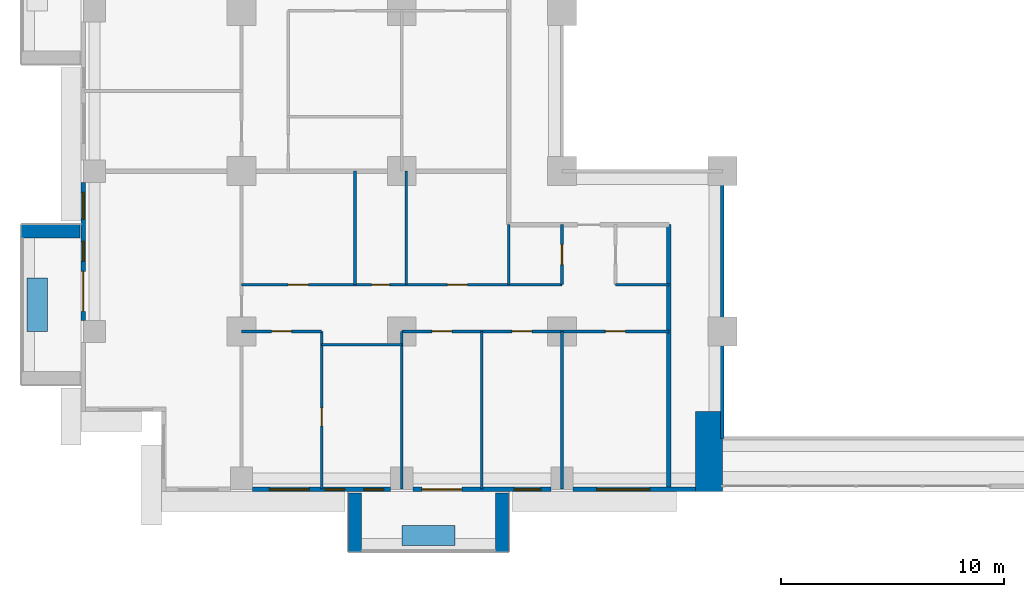
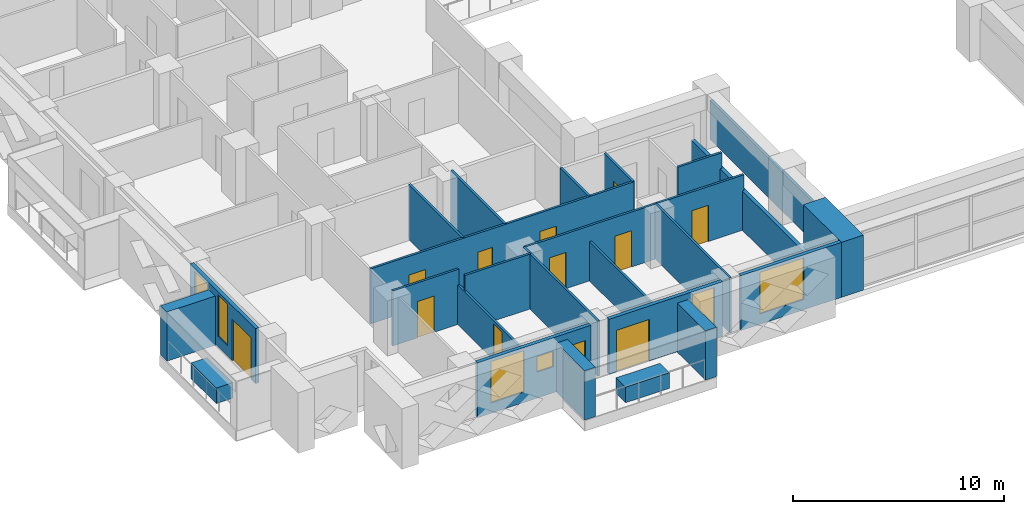
# One storey, part 6 of 17: 25 walls, 11 doors, 7 windows, 18 openings.
"""IFC4 building model written with IfcOpenShell, lengths in metres."""

from ifc_helpers import new_model, si_unit, direction, frame, frame_2d, origin, place, context, subcontext, project, spatial, rectangle, extrude, material, layer, layer_set, type_object, element, fill, save


model = new_model("IFC4")

# Units and contexts
model_context = context("Model", 3, precision=1e-05, world=origin(), true_north=direction((0.0, 1.0)))
body_context = subcontext(model_context, "Body", "Model", "MODEL_VIEW")
ifc_project = project(units=[si_unit("LENGTHUNIT", "METRE"), si_unit("AREAUNIT", "SQUARE_METRE"), si_unit("VOLUMEUNIT", "CUBIC_METRE"), si_unit("PLANEANGLEUNIT", "RADIAN"), si_unit("MASSUNIT", "GRAM", prefix="KILO")], contexts=[model_context])

# Site, building, storey
site_placement = place(None, origin())
site = spatial("IfcSite", under=ifc_project, at=site_placement, CompositionType="ELEMENT")
building_placement = place(site_placement, origin())
building = spatial("IfcBuilding", under=site, at=building_placement, Name="Saffron Iwan Residences", CompositionType="ELEMENT")
storey_placement = place(building_placement, frame((0.0, 0.0, 86.5)))
storey = spatial("IfcBuildingStorey", under=building, at=storey_placement, Name="L22", CompositionType="ELEMENT", Elevation=86.5)

# Walls
ifc_material_1 = material(Name="Fire-rated glazing", Category="glass")
ifc_layer_1 = layer(ifc_material_1, 0.14990234375)
ifc_layer_set_1 = layer_set([ifc_layer_1], Name="Fire-rated glazing")
wall_type_1 = type_object("IfcWallType", Name="Atrium glazed screen 150", PredefinedType="SOLIDWALL", material=ifc_layer_set_1)
wall_1_placement = place(storey_placement, frame((43.199951171875, 36.0, 0.0), z_axis=(0.0, 0.0, 1.0), x_axis=(0.0, 1.0, 0.0)))
element("IfcWall", 1, at=wall_1_placement, inside=storey, type_object=wall_type_1, Name="W-L22-SCREEN-v43.2-36", PredefinedType="SOLIDWALL", context=body_context, shape_type="SweptSolid", body=[
    extrude(rectangle(XDim=12.0, YDim=0.14990234375, at=frame_2d((6.0, 0.0))), origin(), (0.0, 0.0, 1.0), 2.280029296875),
])
ifc_material_2 = material(Name="Concrete C50/60 white painted", Category="concrete")
ifc_layer_2 = layer(ifc_material_2, 0.60009765625)
ifc_layer_set_2 = layer_set([ifc_layer_2], Name="Concrete C50/60 white painted")
wall_type_2 = type_object("IfcWallType", Name="BALCONY FIN 600", PredefinedType="SOLIDWALL", material=ifc_layer_set_2)
for number, where, z_axis, x_axis, name in (
    (2, (14.35009765625, 45.300048828125, 0.0), (0.0, 0.0, 1.0), (-1.0, 0.0, 0.0), "Balcony fin L22 F8-2a"),
    (3, (26.699951171875, 33.550048828125, 0.0), (0.0, 0.0, 1.0), (0.0, -1.0, 0.0), "Balcony fin L22 11-0a"),
    (4, (33.300048828125, 33.550048828125, 0.0), (0.0, 0.0, 1.0), (0.0, -1.0, 0.0), "Balcony fin L22 11-0b"),
):
    element("IfcWall", number, at=place(storey_placement, frame(where, z_axis=z_axis, x_axis=x_axis)), inside=storey, type_object=wall_type_2, Name=name, PredefinedType="SOLIDWALL", context=body_context, shape_type="SweptSolid", body=[
        extrude(rectangle(XDim=2.650146484375, YDim=0.60009765625, at=frame_2d((1.3251953125, 0.0))), origin(), (0.0, 0.0, 1.0), 2.85009765625),
    ])
ifc_material_3 = material(Name="Concrete C35/45 white painted", Category="concrete")
ifc_layer_3 = layer(ifc_material_3, 0.14990234375)
ifc_layer_set_3 = layer_set([ifc_layer_3], Name="Concrete C35/45 white painted")
wall_type_3 = type_object("IfcWallType", Name="BALCONY PLANTER", PredefinedType="SOLIDWALL", material=ifc_layer_set_3)
for number, where, z_axis, x_axis, name in (
    (5, (12.425048828125, 43.199951171875, 0.0), (0.0, 0.0, 1.0), (0.0, -1.0, 0.0), "PLANTER L22 F8-2"),
    (6, (28.800048828125, 31.625, 0.0), (0.0, 0.0, 1.0), (1.0, 0.0, 0.0), "PLANTER L22 11-0"),
):
    element("IfcWall", number, at=place(storey_placement, frame(where, z_axis=z_axis, x_axis=x_axis)), inside=storey, type_object=wall_type_3, Name=name, PredefinedType="SOLIDWALL", context=body_context, shape_type="SweptSolid", body=[
        extrude(rectangle(XDim=2.39990234375, YDim=0.89990234375, at=frame_2d((1.199951171875, 0.0))), origin(), (0.0, 0.0, 1.0), 0.89990234375),
    ])

# Wall, openings, door, windows
ifc_material_4 = material(Name="Concrete C40/50", Category="concrete")
ifc_layer_4 = layer(ifc_material_4, 0.199951171875)
ifc_layer_set_4 = layer_set([ifc_layer_4], Name="Concrete C40/50")
wall_type_4 = type_object("IfcWallType", Name="EXTERNAL WALL 200", PredefinedType="SOLIDWALL", material=ifc_layer_set_4)
wall_2_placement = place(storey_placement, frame((14.5, 47.5, 0.0), z_axis=(0.0, 0.0, 1.0), x_axis=(0.0, -1.0, 0.0)))
wall_2 = element("IfcWall", 7, at=wall_2_placement, inside=storey, type_object=wall_type_4, Name="External wall L22 F8.4", PredefinedType="SOLIDWALL", context=body_context, shape_type="SweptSolid", body=[
    extrude(rectangle(XDim=6.199951171875, YDim=0.199951171875, at=frame_2d((3.10009765625, 0.0))), origin(), (0.0, 0.0, 1.0), 3.179931640625),
])
opening_1_placement = place(wall_2_placement, frame((4.0, 0.0, 0.0)))
opening_1 = element("IfcOpeningElement", 8, at=opening_1_placement, cuts=wall_2, Name="Opening BD1", PredefinedType="OPENING", context=body_context, shape_type="SweptSolid", body=[
    extrude(rectangle(XDim=1.800048828125, YDim=2.39990234375, at=frame_2d((0.89990234375, 1.199951171875))), frame((0.0, 0.10986328125, 0.0), z_axis=(0.0, -1.0, 0.0), x_axis=(1.0, 0.0, 0.0)), (0.0, 0.0, 1.0), 0.219970703125),
])
opening_2_placement = place(wall_2_placement, frame((0.449951171875, 0.0, 0.60009765625)))
opening_2 = element("IfcOpeningElement", 9, at=opening_2_placement, cuts=wall_2, Name="Opening W3", PredefinedType="OPENING", context=body_context, shape_type="SweptSolid", body=[
    extrude(rectangle(XDim=1.199951171875, YDim=2.39990234375, at=frame_2d((0.60009765625, 1.199951171875))), frame((0.0, 0.10986328125, 0.0), z_axis=(0.0, -1.0, 0.0), x_axis=(1.0, 0.0, 0.0)), (0.0, 0.0, 1.0), 0.219970703125),
])
opening_3_placement = place(wall_2_placement, frame((2.64990234375, 0.0, 0.60009765625)))
opening_3 = element("IfcOpeningElement", 10, at=opening_3_placement, cuts=wall_2, Name="Opening W10", PredefinedType="OPENING", context=body_context, shape_type="SweptSolid", body=[
    extrude(rectangle(XDim=0.89990234375, YDim=2.39990234375, at=frame_2d((0.449951171875, 1.199951171875))), frame((0.0, 0.10986328125, 0.0), z_axis=(0.0, -1.0, 0.0), x_axis=(1.0, 0.0, 0.0)), (0.0, 0.0, 1.0), 0.219970703125),
])
ifc_material_5 = material(Name="Clear glass, laminated double glazed", Category="glass")
door_type_1 = type_object("IfcDoorType", Name="BALCONY DOOR 1800 x 2400", OperationType="DOUBLE_DOOR_SLIDING", PredefinedType="DOOR", material=ifc_material_5)
door_1_placement = place(opening_1_placement, origin())
door_1 = element("IfcDoor", 11, at=door_1_placement, inside=storey, type_object=door_type_1, Name="Balcony door L22 F8.0", OperationType="DOUBLE_DOOR_SLIDING", OverallHeight=2.39990234375, OverallWidth=1.800048828125, PredefinedType="DOOR", context=body_context, shape_type="SweptSolid", body=[
    extrude(rectangle(XDim=1.800048828125, YDim=2.39990234375, at=frame_2d((0.89990234375, 1.199951171875))), frame((0.0, 0.02490234375, 0.0), z_axis=(0.0, -1.0, 0.0), x_axis=(1.0, 0.0, 0.0)), (0.0, 0.0, 1.0), 0.050048828125),
])
fill(opening_1, door_1)
window_type_1 = type_object("IfcWindowType", Name="WINDOW 1200 x 2400", PartitioningType="SINGLE_PANEL", PredefinedType="WINDOW", material=ifc_material_5)
window_1_placement = place(opening_2_placement, origin())
window_1 = element("IfcWindow", 12, at=window_1_placement, inside=storey, type_object=window_type_1, Name="Window L22 F8.1", OverallHeight=2.39990234375, OverallWidth=1.199951171875, PartitioningType="SINGLE_PANEL", PredefinedType="WINDOW", context=body_context, shape_type="SweptSolid", body=[
    extrude(rectangle(XDim=1.199951171875, YDim=2.39990234375, at=frame_2d((0.60009765625, 1.199951171875))), frame((0.0, 0.030029296875, 0.0), z_axis=(0.0, -1.0, 0.0), x_axis=(1.0, 0.0, 0.0)), (0.0, 0.0, 1.0), 0.06005859375),
])
fill(opening_2, window_1)
window_type_2 = type_object("IfcWindowType", Name="WINDOW 900 x 2400", PartitioningType="SINGLE_PANEL", PredefinedType="WINDOW", material=ifc_material_5)
window_2_placement = place(opening_3_placement, origin())
window_2 = element("IfcWindow", 13, at=window_2_placement, inside=storey, type_object=window_type_2, Name="Window L22 F8.2", OverallHeight=2.39990234375, OverallWidth=0.89990234375, PartitioningType="SINGLE_PANEL", PredefinedType="WINDOW", context=body_context, shape_type="SweptSolid", body=[
    extrude(rectangle(XDim=0.89990234375, YDim=2.39990234375, at=frame_2d((0.449951171875, 1.199951171875))), frame((0.0, 0.030029296875, 0.0), z_axis=(0.0, -1.0, 0.0), x_axis=(1.0, 0.0, 0.0)), (0.0, 0.0, 1.0), 0.06005859375),
])
fill(opening_3, window_2)

# Wall, openings, windows
wall_3_placement = place(storey_placement, frame((22.10009765625, 33.699951171875, 0.0), z_axis=(0.0, 0.0, 1.0), x_axis=(1.0, 0.0, 0.0)))
wall_3 = element("IfcWall", 14, at=wall_3_placement, inside=storey, type_object=wall_type_4, Name="External wall L22 F11.1", PredefinedType="SOLIDWALL", context=body_context, shape_type="SweptSolid", body=[
    extrude(rectangle(XDim=6.199951171875, YDim=0.199951171875, at=frame_2d((3.10009765625, 0.0))), origin(), (0.0, 0.0, 1.0), 3.179931640625),
])
opening_4_placement = place(wall_3_placement, frame((0.75, 0.0, 0.60009765625)))
opening_4 = element("IfcOpeningElement", 15, at=opening_4_placement, cuts=wall_3, Name="Opening W8", PredefinedType="OPENING", context=body_context, shape_type="SweptSolid", body=[
    extrude(rectangle(XDim=1.800048828125, YDim=2.39990234375, at=frame_2d((0.89990234375, 1.199951171875))), frame((0.0, 0.10986328125, 0.0), z_axis=(0.0, -1.0, 0.0), x_axis=(1.0, 0.0, 0.0)), (0.0, 0.0, 1.0), 0.219970703125),
])
opening_5_placement = place(wall_3_placement, frame((3.25, 0.0, 1.5)))
opening_5 = element("IfcOpeningElement", 16, at=opening_5_placement, cuts=wall_3, Name="Opening W6", PredefinedType="OPENING", context=body_context, shape_type="SweptSolid", body=[
    extrude(rectangle(XDim=0.89990234375, YDim=0.89990234375, at=frame_2d((0.449951171875, 0.449951171875))), frame((0.0, 0.10986328125, 0.0), z_axis=(0.0, -1.0, 0.0), x_axis=(1.0, 0.0, 0.0)), (0.0, 0.0, 1.0), 0.219970703125),
])
opening_6_placement = place(wall_3_placement, frame((5.0, 0.0, 1.5)))
opening_6 = element("IfcOpeningElement", 17, at=opening_6_placement, cuts=wall_3, Name="Opening W6", PredefinedType="OPENING", context=body_context, shape_type="SweptSolid", body=[
    extrude(rectangle(XDim=0.89990234375, YDim=0.89990234375, at=frame_2d((0.449951171875, 0.449951171875))), frame((0.0, 0.10986328125, 0.0), z_axis=(0.0, -1.0, 0.0), x_axis=(1.0, 0.0, 0.0)), (0.0, 0.0, 1.0), 0.219970703125),
])
window_type_3 = type_object("IfcWindowType", Name="WINDOW 1800 x 2400", PartitioningType="DOUBLE_PANEL_VERTICAL", PredefinedType="WINDOW", material=ifc_material_5)
window_3_placement = place(opening_4_placement, origin())
window_3 = element("IfcWindow", 18, at=window_3_placement, inside=storey, type_object=window_type_3, Name="Window L22 F11.0", OverallHeight=2.39990234375, OverallWidth=1.800048828125, PartitioningType="DOUBLE_PANEL_VERTICAL", PredefinedType="WINDOW", context=body_context, shape_type="SweptSolid", body=[
    extrude(rectangle(XDim=1.800048828125, YDim=2.39990234375, at=frame_2d((0.89990234375, 1.199951171875))), frame((0.0, 0.030029296875, 0.0), z_axis=(0.0, -1.0, 0.0), x_axis=(1.0, 0.0, 0.0)), (0.0, 0.0, 1.0), 0.06005859375),
])
fill(opening_4, window_3)
window_type_4 = type_object("IfcWindowType", Name="WINDOW 900 x 900 BATH", PartitioningType="SINGLE_PANEL", PredefinedType="WINDOW", material=ifc_material_5)
window_4_placement = place(opening_5_placement, origin())
window_4 = element("IfcWindow", 19, at=window_4_placement, inside=storey, type_object=window_type_4, Name="Window L22 F11.1", OverallHeight=0.89990234375, OverallWidth=0.89990234375, PartitioningType="SINGLE_PANEL", PredefinedType="WINDOW", context=body_context, shape_type="SweptSolid", body=[
    extrude(rectangle(XDim=0.89990234375, YDim=0.89990234375, at=frame_2d((0.449951171875, 0.449951171875))), frame((0.0, 0.030029296875, 0.0), z_axis=(0.0, -1.0, 0.0), x_axis=(1.0, 0.0, 0.0)), (0.0, 0.0, 1.0), 0.06005859375),
])
fill(opening_5, window_4)
window_5_placement = place(opening_6_placement, origin())
window_5 = element("IfcWindow", 20, at=window_5_placement, inside=storey, type_object=window_type_4, Name="Window L22 F11.2", OverallHeight=0.89990234375, OverallWidth=0.89990234375, PartitioningType="SINGLE_PANEL", PredefinedType="WINDOW", context=body_context, shape_type="SweptSolid", body=[
    extrude(rectangle(XDim=0.89990234375, YDim=0.89990234375, at=frame_2d((0.449951171875, 0.449951171875))), frame((0.0, 0.030029296875, 0.0), z_axis=(0.0, -1.0, 0.0), x_axis=(1.0, 0.0, 0.0)), (0.0, 0.0, 1.0), 0.06005859375),
])
fill(opening_6, window_5)

# Wall, openings, door, window
wall_4_placement = place(storey_placement, frame((29.300048828125, 33.699951171875, 0.0), z_axis=(0.0, 0.0, 1.0), x_axis=(1.0, 0.0, 0.0)))
wall_4 = element("IfcWall", 21, at=wall_4_placement, inside=storey, type_object=wall_type_4, Name="External wall L22 F11.2", PredefinedType="SOLIDWALL", context=body_context, shape_type="SweptSolid", body=[
    extrude(rectangle(XDim=6.199951171875, YDim=0.199951171875, at=frame_2d((3.10009765625, 0.0))), origin(), (0.0, 0.0, 1.0), 3.179931640625),
])
opening_7_placement = place(wall_4_placement, frame((0.39990234375, 0.0, 0.0)))
opening_7 = element("IfcOpeningElement", 22, at=opening_7_placement, cuts=wall_4, Name="Opening BD1", PredefinedType="OPENING", context=body_context, shape_type="SweptSolid", body=[
    extrude(rectangle(XDim=1.800048828125, YDim=2.39990234375, at=frame_2d((0.89990234375, 1.199951171875))), frame((0.0, 0.10986328125, 0.0), z_axis=(0.0, -1.0, 0.0), x_axis=(1.0, 0.0, 0.0)), (0.0, 0.0, 1.0), 0.219970703125),
])
opening_8_placement = place(wall_4_placement, frame((4.550048828125, 0.0, 0.60009765625)))
opening_8 = element("IfcOpeningElement", 23, at=opening_8_placement, cuts=wall_4, Name="Opening W3", PredefinedType="OPENING", context=body_context, shape_type="SweptSolid", body=[
    extrude(rectangle(XDim=1.199951171875, YDim=2.39990234375, at=frame_2d((0.60009765625, 1.199951171875))), frame((0.0, 0.10986328125, 0.0), z_axis=(0.0, -1.0, 0.0), x_axis=(1.0, 0.0, 0.0)), (0.0, 0.0, 1.0), 0.219970703125),
])
door_2_placement = place(opening_7_placement, origin())
door_2 = element("IfcDoor", 24, at=door_2_placement, inside=storey, type_object=door_type_1, Name="Balcony door L22 F11.0", OperationType="DOUBLE_DOOR_SLIDING", OverallHeight=2.39990234375, OverallWidth=1.800048828125, PredefinedType="DOOR", context=body_context, shape_type="SweptSolid", body=[
    extrude(rectangle(XDim=1.800048828125, YDim=2.39990234375, at=frame_2d((0.89990234375, 1.199951171875))), frame((0.0, 0.02490234375, 0.0), z_axis=(0.0, -1.0, 0.0), x_axis=(1.0, 0.0, 0.0)), (0.0, 0.0, 1.0), 0.050048828125),
])
fill(opening_7, door_2)
window_6_placement = place(opening_8_placement, origin())
window_6 = element("IfcWindow", 25, at=window_6_placement, inside=storey, type_object=window_type_1, Name="Window L22 F11.1", OverallHeight=2.39990234375, OverallWidth=1.199951171875, PartitioningType="SINGLE_PANEL", PredefinedType="WINDOW", context=body_context, shape_type="SweptSolid", body=[
    extrude(rectangle(XDim=1.199951171875, YDim=2.39990234375, at=frame_2d((0.60009765625, 1.199951171875))), frame((0.0, 0.030029296875, 0.0), z_axis=(0.0, -1.0, 0.0), x_axis=(1.0, 0.0, 0.0)), (0.0, 0.0, 1.0), 0.06005859375),
])
fill(opening_8, window_6)

# Wall, opening, window
wall_5_placement = place(storey_placement, frame((36.5, 33.699951171875, 0.0), z_axis=(0.0, 0.0, 1.0), x_axis=(1.0, 0.0, 0.0)))
wall_5 = element("IfcWall", 26, at=wall_5_placement, inside=storey, type_object=wall_type_4, Name="External wall L22 F11.3", PredefinedType="SOLIDWALL", context=body_context, shape_type="SweptSolid", body=[
    extrude(rectangle(XDim=5.5, YDim=0.199951171875, at=frame_2d((2.75, 0.0))), origin(), (0.0, 0.0, 1.0), 3.179931640625),
])
opening_9_placement = place(wall_5_placement, frame((1.050048828125, 0.0, 0.60009765625)))
opening_9 = element("IfcOpeningElement", 27, at=opening_9_placement, cuts=wall_5, Name="Opening W1", PredefinedType="OPENING", context=body_context, shape_type="SweptSolid", body=[
    extrude(rectangle(XDim=2.39990234375, YDim=2.39990234375, at=frame_2d((1.199951171875, 1.199951171875))), frame((0.0, 0.10986328125, 0.0), z_axis=(0.0, -1.0, 0.0), x_axis=(1.0, 0.0, 0.0)), (0.0, 0.0, 1.0), 0.219970703125),
])
window_type_5 = type_object("IfcWindowType", Name="WINDOW 2400 x 2400", PartitioningType="DOUBLE_PANEL_VERTICAL", PredefinedType="WINDOW", material=ifc_material_5)
window_7_placement = place(opening_9_placement, origin())
window_7 = element("IfcWindow", 28, at=window_7_placement, inside=storey, type_object=window_type_5, Name="Window L22 F11.0", OverallHeight=2.39990234375, OverallWidth=2.39990234375, PartitioningType="DOUBLE_PANEL_VERTICAL", PredefinedType="WINDOW", context=body_context, shape_type="SweptSolid", body=[
    extrude(rectangle(XDim=2.39990234375, YDim=2.39990234375, at=frame_2d((1.199951171875, 1.199951171875))), frame((0.0, 0.030029296875, 0.0), z_axis=(0.0, -1.0, 0.0), x_axis=(1.0, 0.0, 0.0)), (0.0, 0.0, 1.0), 0.06005859375),
])
fill(opening_9, window_7)

# Wall
ifc_material_6 = material(Name="Gypsum board partition")
ifc_layer_5 = layer(ifc_material_6, 0.1201171875)
ifc_layer_set_5 = layer_set([ifc_layer_5], Name="Gypsum board partition")
wall_type_5 = type_object("IfcWallType", Name="Flat partition 120", PredefinedType="PARTITIONING", material=ifc_layer_set_5)
wall_6_placement = place(storey_placement, frame((25.199951171875, 40.199951171875, 0.0), z_axis=(0.0, 0.0, 1.0), x_axis=(1.0, 0.0, 0.0)))
element("IfcWall", 29, at=wall_6_placement, inside=storey, type_object=wall_type_5, Name="W-L22-PART-h40.2-25.2", PredefinedType="PARTITIONING", context=body_context, shape_type="SweptSolid", body=[
    extrude(rectangle(XDim=3.60009765625, YDim=0.1201171875, at=frame_2d((1.800048828125, 0.0))), origin(), (0.0, 0.0, 1.0), 3.179931640625),
])

# Wall, opening, door
wall_7_placement = place(storey_placement, frame((21.60009765625, 40.800048828125, 0.0), z_axis=(0.0, 0.0, 1.0), x_axis=(1.0, 0.0, 0.0)))
wall_7 = element("IfcWall", 30, at=wall_7_placement, inside=storey, type_object=wall_type_5, Name="W-L22-PART-h40.8-21.6", PredefinedType="PARTITIONING", context=body_context, shape_type="SweptSolid", body=[
    extrude(rectangle(XDim=3.599853515625, YDim=0.1201171875, at=frame_2d((1.7998046875, 0.0))), origin(), (0.0, 0.0, 1.0), 3.179931640625),
])
opening_10_placement = place(wall_7_placement, frame((1.35009765625, 0.0, 0.0)))
opening_10 = element("IfcOpeningElement", 31, at=opening_10_placement, cuts=wall_7, Name="Opening FD2", PredefinedType="OPENING", context=body_context, shape_type="SweptSolid", body=[
    extrude(rectangle(XDim=0.89990234375, YDim=2.10009765625, at=frame_2d((0.449951171875, 1.050048828125))), frame((0.0, 0.070068359375, 0.0), z_axis=(0.0, -1.0, 0.0), x_axis=(1.0, 0.0, 0.0)), (0.0, 0.0, 1.0), 0.14013671875),
])
ifc_material_7 = material(Name="Timber door", Category="wood")
door_type_2 = type_object("IfcDoorType", Name="Flat door 900", OperationType="NOTDEFINED", PredefinedType="DOOR", material=ifc_material_7)
door_3_placement = place(opening_10_placement, origin())
door_3 = element("IfcDoor", 32, at=door_3_placement, inside=storey, type_object=door_type_2, Name="Door L22-003", OperationType="SINGLE_SWING_RIGHT", OverallHeight=2.10009765625, OverallWidth=0.89990234375, PredefinedType="DOOR", context=body_context, shape_type="SweptSolid", body=[
    extrude(rectangle(XDim=0.89990234375, YDim=2.10009765625, at=frame_2d((0.449951171875, 1.050048828125))), frame((0.0, 0.02490234375, 0.0), z_axis=(0.0, -1.0, 0.0), x_axis=(1.0, 0.0, 0.0)), (0.0, 0.0, 1.0), 0.050048828125),
])
fill(opening_10, door_3)

# Wall, openings, doors
wall_8_placement = place(storey_placement, frame((28.800048828125, 40.800048828125, 0.0), z_axis=(0.0, 0.0, 1.0), x_axis=(1.0, 0.0, 0.0)))
wall_8 = element("IfcWall", 33, at=wall_8_placement, inside=storey, type_object=wall_type_5, Name="W-L22-PART-h40.8-28.8", PredefinedType="PARTITIONING", context=body_context, shape_type="SweptSolid", body=[
    extrude(rectangle(XDim=12.0, YDim=0.1201171875, at=frame_2d((6.0, 0.0))), origin(), (0.0, 0.0, 1.0), 3.179931640625),
])
opening_11_placement = place(wall_8_placement, frame((1.35009765625, 0.0, 0.0)))
opening_11 = element("IfcOpeningElement", 34, at=opening_11_placement, cuts=wall_8, Name="Opening FD2", PredefinedType="OPENING", context=body_context, shape_type="SweptSolid", body=[
    extrude(rectangle(XDim=0.89990234375, YDim=2.10009765625, at=frame_2d((0.449951171875, 1.050048828125))), frame((0.0, 0.070068359375, 0.0), z_axis=(0.0, -1.0, 0.0), x_axis=(1.0, 0.0, 0.0)), (0.0, 0.0, 1.0), 0.14013671875),
])
opening_12_placement = place(wall_8_placement, frame((4.949951171875, 0.0, 0.0)))
opening_12 = element("IfcOpeningElement", 35, at=opening_12_placement, cuts=wall_8, Name="Opening FD2", PredefinedType="OPENING", context=body_context, shape_type="SweptSolid", body=[
    extrude(rectangle(XDim=0.89990234375, YDim=2.10009765625, at=frame_2d((0.449951171875, 1.050048828125))), frame((0.0, 0.070068359375, 0.0), z_axis=(0.0, -1.0, 0.0), x_axis=(1.0, 0.0, 0.0)), (0.0, 0.0, 1.0), 0.14013671875),
])
opening_13_placement = place(wall_8_placement, frame((9.14990234375, 0.0, 0.0)))
opening_13 = element("IfcOpeningElement", 36, at=opening_13_placement, cuts=wall_8, Name="Opening FD2", PredefinedType="OPENING", context=body_context, shape_type="SweptSolid", body=[
    extrude(rectangle(XDim=0.89990234375, YDim=2.10009765625, at=frame_2d((0.449951171875, 1.050048828125))), frame((0.0, 0.070068359375, 0.0), z_axis=(0.0, -1.0, 0.0), x_axis=(1.0, 0.0, 0.0)), (0.0, 0.0, 1.0), 0.14013671875),
])
door_4_placement = place(opening_11_placement, origin())
door_4 = element("IfcDoor", 37, at=door_4_placement, inside=storey, type_object=door_type_2, Name="Door L22-005", OperationType="SINGLE_SWING_LEFT", OverallHeight=2.10009765625, OverallWidth=0.89990234375, PredefinedType="DOOR", context=body_context, shape_type="SweptSolid", body=[
    extrude(rectangle(XDim=0.89990234375, YDim=2.10009765625, at=frame_2d((0.449951171875, 1.050048828125))), frame((0.0, 0.02490234375, 0.0), z_axis=(0.0, -1.0, 0.0), x_axis=(1.0, 0.0, 0.0)), (0.0, 0.0, 1.0), 0.050048828125),
])
fill(opening_11, door_4)
door_5_placement = place(opening_12_placement, origin())
door_5 = element("IfcDoor", 38, at=door_5_placement, inside=storey, type_object=door_type_2, Name="Door L22-006", OperationType="SINGLE_SWING_RIGHT", OverallHeight=2.10009765625, OverallWidth=0.89990234375, PredefinedType="DOOR", context=body_context, shape_type="SweptSolid", body=[
    extrude(rectangle(XDim=0.89990234375, YDim=2.10009765625, at=frame_2d((0.449951171875, 1.050048828125))), frame((0.0, 0.02490234375, 0.0), z_axis=(0.0, -1.0, 0.0), x_axis=(1.0, 0.0, 0.0)), (0.0, 0.0, 1.0), 0.050048828125),
])
fill(opening_12, door_5)
door_6_placement = place(opening_13_placement, origin())
door_6 = element("IfcDoor", 39, at=door_6_placement, inside=storey, type_object=door_type_2, Name="Door L22-007", OperationType="SINGLE_SWING_LEFT", OverallHeight=2.10009765625, OverallWidth=0.89990234375, PredefinedType="DOOR", context=body_context, shape_type="SweptSolid", body=[
    extrude(rectangle(XDim=0.89990234375, YDim=2.10009765625, at=frame_2d((0.449951171875, 1.050048828125))), frame((0.0, 0.02490234375, 0.0), z_axis=(0.0, -1.0, 0.0), x_axis=(1.0, 0.0, 0.0)), (0.0, 0.0, 1.0), 0.050048828125),
])
fill(opening_13, door_6)

wall_9_placement = place(storey_placement, frame((21.60009765625, 42.89990234375, 0.0), z_axis=(0.0, 0.0, 1.0), x_axis=(1.0, 0.0, 0.0)))
wall_9 = element("IfcWall", 40, at=wall_9_placement, inside=storey, type_object=wall_type_5, Name="W-L22-PART-h42.9-21.6", PredefinedType="PARTITIONING", context=body_context, shape_type="SweptSolid", body=[
    extrude(rectangle(XDim=14.39990234375, YDim=0.1201171875, at=frame_2d((7.199951171875, 0.0))), origin(), (0.0, 0.0, 1.0), 3.179931640625),
])
opening_14_placement = place(wall_9_placement, frame((2.10009765625, 0.0, 0.0)))
opening_14 = element("IfcOpeningElement", 41, at=opening_14_placement, cuts=wall_9, Name="Opening FD2", PredefinedType="OPENING", context=body_context, shape_type="SweptSolid", body=[
    extrude(rectangle(XDim=0.89990234375, YDim=2.10009765625, at=frame_2d((0.449951171875, 1.050048828125))), frame((0.0, 0.070068359375, 0.0), z_axis=(0.0, -1.0, 0.0), x_axis=(1.0, 0.0, 0.0)), (0.0, 0.0, 1.0), 0.14013671875),
])
opening_15_placement = place(wall_9_placement, frame((5.85009765625, 0.0, 0.0)))
opening_15 = element("IfcOpeningElement", 42, at=opening_15_placement, cuts=wall_9, Name="Opening FD3", PredefinedType="OPENING", context=body_context, shape_type="SweptSolid", body=[
    extrude(rectangle(XDim=0.800048828125, YDim=2.10009765625, at=frame_2d((0.39990234375, 1.050048828125))), frame((0.0, 0.070068359375, 0.0), z_axis=(0.0, -1.0, 0.0), x_axis=(1.0, 0.0, 0.0)), (0.0, 0.0, 1.0), 0.14013671875),
])
opening_16_placement = place(wall_9_placement, frame((9.25, 0.0, 0.0)))
opening_16 = element("IfcOpeningElement", 43, at=opening_16_placement, cuts=wall_9, Name="Opening FD2", PredefinedType="OPENING", context=body_context, shape_type="SweptSolid", body=[
    extrude(rectangle(XDim=0.89990234375, YDim=2.10009765625, at=frame_2d((0.449951171875, 1.050048828125))), frame((0.0, 0.070068359375, 0.0), z_axis=(0.0, -1.0, 0.0), x_axis=(1.0, 0.0, 0.0)), (0.0, 0.0, 1.0), 0.14013671875),
])
door_type_3 = type_object("IfcDoorType", Name="Bathroom door 800", OperationType="NOTDEFINED", PredefinedType="DOOR", material=ifc_material_7)
door_7_placement = place(opening_15_placement, origin())
door_7 = element("IfcDoor", 44, at=door_7_placement, inside=storey, type_object=door_type_3, Name="Door L22-009", OperationType="SINGLE_SWING_RIGHT", OverallHeight=2.10009765625, OverallWidth=0.800048828125, PredefinedType="DOOR", context=body_context, shape_type="SweptSolid", body=[
    extrude(rectangle(XDim=0.800048828125, YDim=2.10009765625, at=frame_2d((0.39990234375, 1.050048828125))), frame((0.0, 0.02490234375, 0.0), z_axis=(0.0, -1.0, 0.0), x_axis=(1.0, 0.0, 0.0)), (0.0, 0.0, 1.0), 0.050048828125),
])
fill(opening_15, door_7)
door_8_placement = place(opening_14_placement, origin())
door_8 = element("IfcDoor", 45, at=door_8_placement, inside=storey, type_object=door_type_2, Name="Door L22-008", OperationType="SINGLE_SWING_LEFT", OverallHeight=2.10009765625, OverallWidth=0.89990234375, PredefinedType="DOOR", context=body_context, shape_type="SweptSolid", body=[
    extrude(rectangle(XDim=0.89990234375, YDim=2.10009765625, at=frame_2d((0.449951171875, 1.050048828125))), frame((0.0, 0.02490234375, 0.0), z_axis=(0.0, -1.0, 0.0), x_axis=(1.0, 0.0, 0.0)), (0.0, 0.0, 1.0), 0.050048828125),
])
fill(opening_14, door_8)
door_9_placement = place(opening_16_placement, origin())
door_9 = element("IfcDoor", 46, at=door_9_placement, inside=storey, type_object=door_type_2, Name="Door L22-010", OperationType="SINGLE_SWING_LEFT", OverallHeight=2.10009765625, OverallWidth=0.89990234375, PredefinedType="DOOR", context=body_context, shape_type="SweptSolid", body=[
    extrude(rectangle(XDim=0.89990234375, YDim=2.10009765625, at=frame_2d((0.449951171875, 1.050048828125))), frame((0.0, 0.02490234375, 0.0), z_axis=(0.0, -1.0, 0.0), x_axis=(1.0, 0.0, 0.0)), (0.0, 0.0, 1.0), 0.050048828125),
])
fill(opening_16, door_9)

# Wall
wall_10_placement = place(storey_placement, frame((38.39990234375, 42.89990234375, 0.0), z_axis=(0.0, 0.0, 1.0), x_axis=(1.0, 0.0, 0.0)))
element("IfcWall", 47, at=wall_10_placement, inside=storey, type_object=wall_type_5, Name="W-L22-PART-h42.9-38.4", PredefinedType="PARTITIONING", context=body_context, shape_type="SweptSolid", body=[
    extrude(rectangle(XDim=2.400146484375, YDim=0.1201171875, at=frame_2d((1.2001953125, 0.0))), origin(), (0.0, 0.0, 1.0), 3.179931640625),
])

# Wall, opening, door
wall_11_placement = place(storey_placement, frame((25.199951171875, 33.72509765625, 0.0), z_axis=(0.0, 0.0, 1.0), x_axis=(0.0, 1.0, 0.0)))
wall_11 = element("IfcWall", 48, at=wall_11_placement, inside=storey, type_object=wall_type_5, Name="W-L22-PART-v25.2-33.725", PredefinedType="PARTITIONING", context=body_context, shape_type="SweptSolid", body=[
    extrude(rectangle(XDim=7.074951171875, YDim=0.1201171875, at=frame_2d((3.53759765625, 0.0))), origin(), (0.0, 0.0, 1.0), 2.280029296875),
])
opening_17_placement = place(wall_11_placement, frame((2.83740234375, 0.0, 0.0)))
opening_17 = element("IfcOpeningElement", 49, at=opening_17_placement, cuts=wall_11, Name="Opening FD3", PredefinedType="OPENING", context=body_context, shape_type="SweptSolid", body=[
    extrude(rectangle(XDim=0.800048828125, YDim=2.10009765625, at=frame_2d((0.39990234375, 1.050048828125))), frame((0.0, 0.070068359375, 0.0), z_axis=(0.0, -1.0, 0.0), x_axis=(1.0, 0.0, 0.0)), (0.0, 0.0, 1.0), 0.14013671875),
])
door_10_placement = place(opening_17_placement, origin())
door_10 = element("IfcDoor", 50, at=door_10_placement, inside=storey, type_object=door_type_3, Name="Door L22-004", OperationType="SINGLE_SWING_LEFT", OverallHeight=2.10009765625, OverallWidth=0.800048828125, PredefinedType="DOOR", context=body_context, shape_type="SweptSolid", body=[
    extrude(rectangle(XDim=0.800048828125, YDim=2.10009765625, at=frame_2d((0.39990234375, 1.050048828125))), frame((0.0, 0.02490234375, 0.0), z_axis=(0.0, -1.0, 0.0), x_axis=(1.0, 0.0, 0.0)), (0.0, 0.0, 1.0), 0.050048828125),
])
fill(opening_17, door_10)

# Walls
wall_12_placement = place(storey_placement, frame((26.699951171875, 42.89990234375, 0.0), z_axis=(0.0, 0.0, 1.0), x_axis=(0.0, 1.0, 0.0)))
element("IfcWall", 51, at=wall_12_placement, inside=storey, type_object=wall_type_5, Name="W-L22-PART-v26.7-42.9", PredefinedType="PARTITIONING", context=body_context, shape_type="SweptSolid", body=[
    extrude(rectangle(XDim=5.10009765625, YDim=0.1201171875, at=frame_2d((2.550048828125, 0.0))), origin(), (0.0, 0.0, 1.0), 3.179931640625),
])
wall_13_placement = place(storey_placement, frame((28.800048828125, 33.72509765625, 0.0), z_axis=(0.0, 0.0, 1.0), x_axis=(0.0, 1.0, 0.0)))
element("IfcWall", 52, at=wall_13_placement, inside=storey, type_object=wall_type_5, Name="W-L22-PART-v28.8-33.725", PredefinedType="PARTITIONING", context=body_context, shape_type="SweptSolid", body=[
    extrude(rectangle(XDim=7.074951171875, YDim=0.1201171875, at=frame_2d((3.53759765625, 0.0))), origin(), (0.0, 0.0, 1.0), 3.179931640625),
])
wall_14_placement = place(storey_placement, frame((29.0, 42.89990234375, 0.0), z_axis=(0.0, 0.0, 1.0), x_axis=(0.0, 1.0, 0.0)))
element("IfcWall", 53, at=wall_14_placement, inside=storey, type_object=wall_type_5, Name="W-L22-PART-v29-42.9", PredefinedType="PARTITIONING", context=body_context, shape_type="SweptSolid", body=[
    extrude(rectangle(XDim=5.10009765625, YDim=0.1201171875, at=frame_2d((2.550048828125, 0.0))), origin(), (0.0, 0.0, 1.0), 3.179931640625),
])
wall_15_placement = place(storey_placement, frame((32.39990234375, 33.72509765625, 0.0), z_axis=(0.0, 0.0, 1.0), x_axis=(0.0, 1.0, 0.0)))
element("IfcWall", 54, at=wall_15_placement, inside=storey, type_object=wall_type_5, Name="W-L22-PART-v32.4-33.725", PredefinedType="PARTITIONING", context=body_context, shape_type="SweptSolid", body=[
    extrude(rectangle(XDim=7.074951171875, YDim=0.1201171875, at=frame_2d((3.53759765625, 0.0))), origin(), (0.0, 0.0, 1.0), 2.280029296875),
])
wall_16_placement = place(storey_placement, frame((33.60009765625, 42.89990234375, 0.0), z_axis=(0.0, 0.0, 1.0), x_axis=(0.0, 1.0, 0.0)))
element("IfcWall", 55, at=wall_16_placement, inside=storey, type_object=wall_type_5, Name="W-L22-PART-v33.6-42.9", PredefinedType="PARTITIONING", context=body_context, shape_type="SweptSolid", body=[
    extrude(rectangle(XDim=2.7001953125, YDim=0.1201171875, at=frame_2d((1.35009765625, 0.0))), origin(), (0.0, 0.0, 1.0), 3.179931640625),
])
wall_17_placement = place(storey_placement, frame((36.0, 33.72509765625, 0.0), z_axis=(0.0, 0.0, 1.0), x_axis=(0.0, 1.0, 0.0)))
element("IfcWall", 56, at=wall_17_placement, inside=storey, type_object=wall_type_5, Name="W-L22-PART-v36-33.725", PredefinedType="PARTITIONING", context=body_context, shape_type="SweptSolid", body=[
    extrude(rectangle(XDim=7.074951171875, YDim=0.1201171875, at=frame_2d((3.53759765625, 0.0))), origin(), (0.0, 0.0, 1.0), 3.179931640625),
])

# Wall, opening, door
wall_18_placement = place(storey_placement, frame((36.0, 42.89990234375, 0.0), z_axis=(0.0, 0.0, 1.0), x_axis=(0.0, 1.0, 0.0)))
wall_18 = element("IfcWall", 57, at=wall_18_placement, inside=storey, type_object=wall_type_5, Name="W-L22-PART-v36-42.9", PredefinedType="PARTITIONING", context=body_context, shape_type="SweptSolid", body=[
    extrude(rectangle(XDim=2.7001953125, YDim=0.1201171875, at=frame_2d((1.35009765625, 0.0))), origin(), (0.0, 0.0, 1.0), 3.179931640625),
])
opening_18_placement = place(wall_18_placement, frame((0.89990234375, 0.0, 0.0)))
opening_18 = element("IfcOpeningElement", 58, at=opening_18_placement, cuts=wall_18, Name="Opening FD2", PredefinedType="OPENING", context=body_context, shape_type="SweptSolid", body=[
    extrude(rectangle(XDim=0.89990234375, YDim=2.10009765625, at=frame_2d((0.449951171875, 1.050048828125))), frame((0.0, 0.070068359375, 0.0), z_axis=(0.0, -1.0, 0.0), x_axis=(1.0, 0.0, 0.0)), (0.0, 0.0, 1.0), 0.14013671875),
])
door_11_placement = place(opening_18_placement, origin())
door_11 = element("IfcDoor", 59, at=door_11_placement, inside=storey, type_object=door_type_2, Name="Door L22-011", OperationType="SINGLE_SWING_LEFT", OverallHeight=2.10009765625, OverallWidth=0.89990234375, PredefinedType="DOOR", context=body_context, shape_type="SweptSolid", body=[
    extrude(rectangle(XDim=0.89990234375, YDim=2.10009765625, at=frame_2d((0.449951171875, 1.050048828125))), frame((0.0, 0.02490234375, 0.0), z_axis=(0.0, -1.0, 0.0), x_axis=(1.0, 0.0, 0.0)), (0.0, 0.0, 1.0), 0.050048828125),
])
fill(opening_18, door_11)

# Walls
ifc_material_8 = material(Name="Fire-rated gypsum board wall")
ifc_layer_6 = layer(ifc_material_8, 0.199951171875)
ifc_layer_set_6 = layer_set([ifc_layer_6], Name="Fire-rated gypsum board wall")
wall_type_6 = type_object("IfcWallType", Name="Gallery wall 200", PredefinedType="SOLIDWALL", material=ifc_layer_set_6)
wall_19_placement = place(storey_placement, frame((40.800048828125, 33.72509765625, 0.0), z_axis=(0.0, 0.0, 1.0), x_axis=(0.0, 1.0, 0.0)))
element("IfcWall", 60, at=wall_19_placement, inside=storey, type_object=wall_type_6, Name="W-L22-CORR-v40.8-33.725", PredefinedType="SOLIDWALL", context=body_context, shape_type="SweptSolid", body=[
    extrude(rectangle(XDim=11.875, YDim=0.199951171875, at=frame_2d((5.9375, 0.0))), origin(), (0.0, 0.0, 1.0), 2.280029296875),
])
ifc_material_9 = material(Name="Concrete C60/75", Category="concrete")
ifc_layer_7 = layer(ifc_material_9, 1.199951171875)
ifc_layer_set_7 = layer_set([ifc_layer_7], Name="Concrete C60/75")
wall_type_7 = type_object("IfcWallType", Name="WALL IWAN PIER 1200 C60/75 3180 HIGH", PredefinedType="SHEAR", material=ifc_layer_set_7)
wall_20_placement = place(storey_placement, frame((42.60009765625, 33.60009765625, 0.0), z_axis=(0.0, 0.0, 1.0), x_axis=(0.0, 1.0, 0.0)))
element("IfcWall", 61, at=wall_20_placement, inside=storey, type_object=wall_type_7, Name="IWAN PIER", PredefinedType="SHEAR", context=body_context, shape_type="SweptSolid", body=[
    extrude(rectangle(XDim=3.599853515625, YDim=1.199951171875, at=frame_2d((1.7998046875, 0.0))), origin(), (0.0, 0.0, 1.0), 3.179931640625),
])

save(model, "model.ifc")
